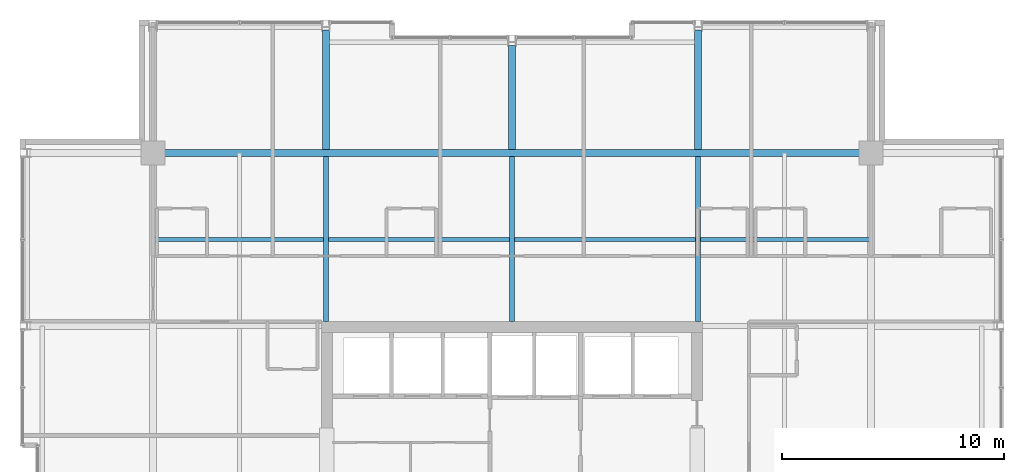
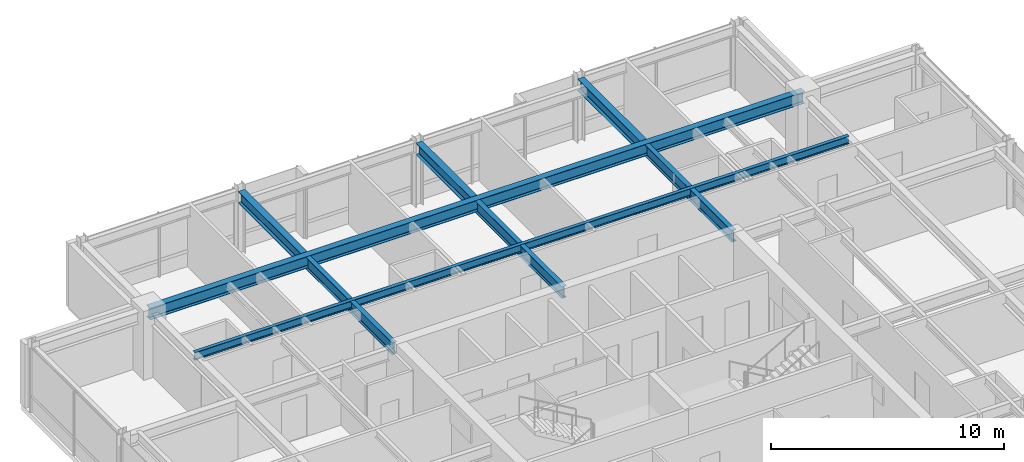
# One storey, part 19 of 32: 8 beams.
"""IFC4 building model written with IfcOpenShell, lengths in metres."""

from ifc_helpers import new_model, si_unit, direction, frame, origin, origin_2d, place, context, subcontext, project, spatial, i_section, extrude, material, material_profile, profile_set, type_object, element, save


model = new_model("IFC4")

# Units and contexts
model_context = context("Model", 3, precision=1e-05, world=origin(), true_north=direction((0.0, 1.0)))
body_context = subcontext(model_context, "Body", "Model", "MODEL_VIEW")
ifc_project = project(units=[si_unit("LENGTHUNIT", "METRE"), si_unit("AREAUNIT", "SQUARE_METRE"), si_unit("VOLUMEUNIT", "CUBIC_METRE"), si_unit("PLANEANGLEUNIT", "RADIAN"), si_unit("MASSUNIT", "GRAM", prefix="KILO")], contexts=[model_context])

# Site, building, storey
site_placement = place(None, origin())
site = spatial("IfcSite", under=ifc_project, at=site_placement, CompositionType="ELEMENT")
building_placement = place(site_placement, origin())
building = spatial("IfcBuilding", under=site, at=building_placement, Name="Drelvath Grand Hotel", CompositionType="ELEMENT")
storey_placement = place(building_placement, frame((0.0, 0.0, 237.5)))
storey = spatial("IfcBuildingStorey", under=building, at=storey_placement, Name="L62", CompositionType="ELEMENT", Elevation=237.5)

# Beams
ifc_material = material(Name="Steel ASTM A992 Gr 50", Category="steel")
ifc_material_profile_1 = material_profile(ifc_material, i_section(OverallWidth=0.177734375, OverallDepth=0.40673828125, WebThickness=0.0078125, FlangeThickness=0.0126953125, FilletRadius=0.014892578125, at=origin_2d()), Name="W16X40")
ifc_profile_set_1 = profile_set([ifc_material_profile_1], Name="Steel ASTM A992 Gr 50")
beam_type_1 = type_object("IfcBeamType", Name="Composite Floor Joist W16X40", PredefinedType="JOIST", material=ifc_profile_set_1)
beam_1_placement = place(storey_placement, frame((-16.199951171875, 39.300048828125, 3.13671875), z_axis=(1.0, 0.0, 0.0), x_axis=(0.0, 1.0, 0.0)))
element("IfcBeam", 1, at=beam_1_placement, inside=storey, type_object=beam_type_1, Name="L62 Floor Joist J2", PredefinedType="JOIST", context=body_context, shape_type="SweptSolid", body=[
    extrude(i_section(OverallWidth=0.177734375, OverallDepth=0.40673828125, WebThickness=0.0078125, FlangeThickness=0.0126953125, FilletRadius=0.014892578125, at=origin_2d()), origin(), (0.0, 0.0, 1.0), 32.39990234375),
])
ifc_material_profile_2 = material_profile(ifc_material, i_section(OverallWidth=0.323974609375, OverallDepth=0.611083984375, WebThickness=0.0126953125, FlangeThickness=0.01904296875, FilletRadius=0.02197265625, at=origin_2d()), Name="W24X104")
ifc_profile_set_2 = profile_set([ifc_material_profile_2], Name="Steel ASTM A992 Gr 50")
beam_type_2 = type_object("IfcBeamType", Name="Primary Floor Girder W24X104", PredefinedType="BEAM", material=ifc_profile_set_2)
beam_2_placement = place(storey_placement, frame((-16.199951171875, 43.199951171875, 3.034423828125), z_axis=(1.0, 0.0, 0.0), x_axis=(0.0, 1.0, 0.0)))
element("IfcBeam", 2, at=beam_2_placement, inside=storey, type_object=beam_type_2, Name="L62 Mega Ring Girder North", PredefinedType="BEAM", context=body_context, shape_type="SweptSolid", body=[
    extrude(i_section(OverallWidth=0.323974609375, OverallDepth=0.611083984375, WebThickness=0.0126953125, FlangeThickness=0.01904296875, FilletRadius=0.02197265625, at=origin_2d()), origin(), (0.0, 0.0, 1.0), 32.39990234375),
])
beam_3_placement = place(storey_placement, frame((-8.39990234375, 43.362060546875, 3.034423828125), z_axis=(0.0, 1.0, 0.0), x_axis=(-1.0, 0.0, 0.0)))
element("IfcBeam", 3, at=beam_3_placement, inside=storey, type_object=beam_type_2, Name="L62 North Wing Girder 4", PredefinedType="BEAM", context=body_context, shape_type="SweptSolid", body=[
    extrude(i_section(OverallWidth=0.323974609375, OverallDepth=0.611083984375, WebThickness=0.0126953125, FlangeThickness=0.01904296875, FilletRadius=0.02197265625, at=origin_2d()), origin(), (0.0, 0.0, 1.0), 5.3779296875),
])
beam_4_placement = place(storey_placement, frame((0.0, 43.362060546875, 3.034423828125), z_axis=(0.0, 1.0, 0.0), x_axis=(-1.0, 0.0, 0.0)))
element("IfcBeam", 4, at=beam_4_placement, inside=storey, type_object=beam_type_2, Name="L62 North Wing Girder 5", PredefinedType="BEAM", context=body_context, shape_type="SweptSolid", body=[
    extrude(i_section(OverallWidth=0.323974609375, OverallDepth=0.611083984375, WebThickness=0.0126953125, FlangeThickness=0.01904296875, FilletRadius=0.02197265625, at=origin_2d()), origin(), (0.0, 0.0, 1.0), 4.697998046875),
])
beam_5_placement = place(storey_placement, frame((8.39990234375, 43.362060546875, 3.034423828125), z_axis=(0.0, 1.0, 0.0), x_axis=(-1.0, 0.0, 0.0)))
element("IfcBeam", 5, at=beam_5_placement, inside=storey, type_object=beam_type_2, Name="L62 North Wing Girder 6", PredefinedType="BEAM", context=body_context, shape_type="SweptSolid", body=[
    extrude(i_section(OverallWidth=0.323974609375, OverallDepth=0.611083984375, WebThickness=0.0126953125, FlangeThickness=0.01904296875, FilletRadius=0.02197265625, at=origin_2d()), origin(), (0.0, 0.0, 1.0), 5.3779296875),
])
ifc_material_profile_3 = material_profile(ifc_material, i_section(OverallWidth=0.228271484375, OverallDepth=0.607666015625, WebThickness=0.01123046875, FlangeThickness=0.017333984375, FilletRadius=0.02001953125, at=origin_2d()), Name="W24X76")
ifc_profile_set_3 = profile_set([ifc_material_profile_3], Name="Steel ASTM A992 Gr 50")
beam_type_3 = type_object("IfcBeamType", Name="Primary Floor Girder W24X76", PredefinedType="BEAM", material=ifc_profile_set_3)
for number, where, z_axis, x_axis, name in (
    (6, (-8.39990234375, 35.60009765625, 3.0361328125), (0.0, 1.0, 0.0), (-1.0, 0.0, 0.0), "L62 North Core Tie 4"),
    (7, (0.0, 35.60009765625, 3.0361328125), (0.0, 1.0, 0.0), (-1.0, 0.0, 0.0), "L62 North Core Tie 5"),
    (8, (8.39990234375, 35.60009765625, 3.0361328125), (0.0, 1.0, 0.0), (-1.0, 0.0, 0.0), "L62 North Core Tie 6"),
):
    element("IfcBeam", number, at=place(storey_placement, frame(where, z_axis=z_axis, x_axis=x_axis)), inside=storey, type_object=beam_type_3, Name=name, PredefinedType="BEAM", context=body_context, shape_type="SweptSolid", body=[
        extrude(i_section(OverallWidth=0.228271484375, OverallDepth=0.607666015625, WebThickness=0.01123046875, FlangeThickness=0.017333984375, FilletRadius=0.02001953125, at=origin_2d()), origin(), (0.0, 0.0, 1.0), 7.43798828125),
    ])

save(model, "model.ifc")
